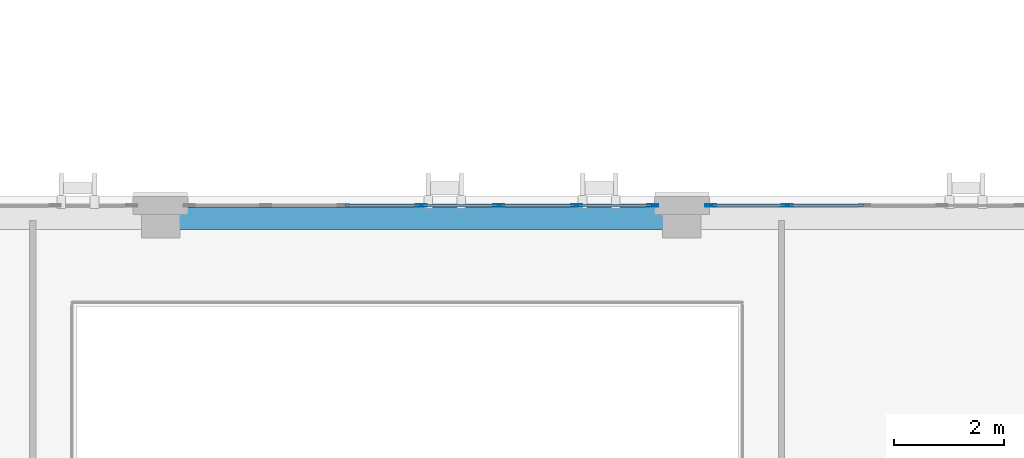
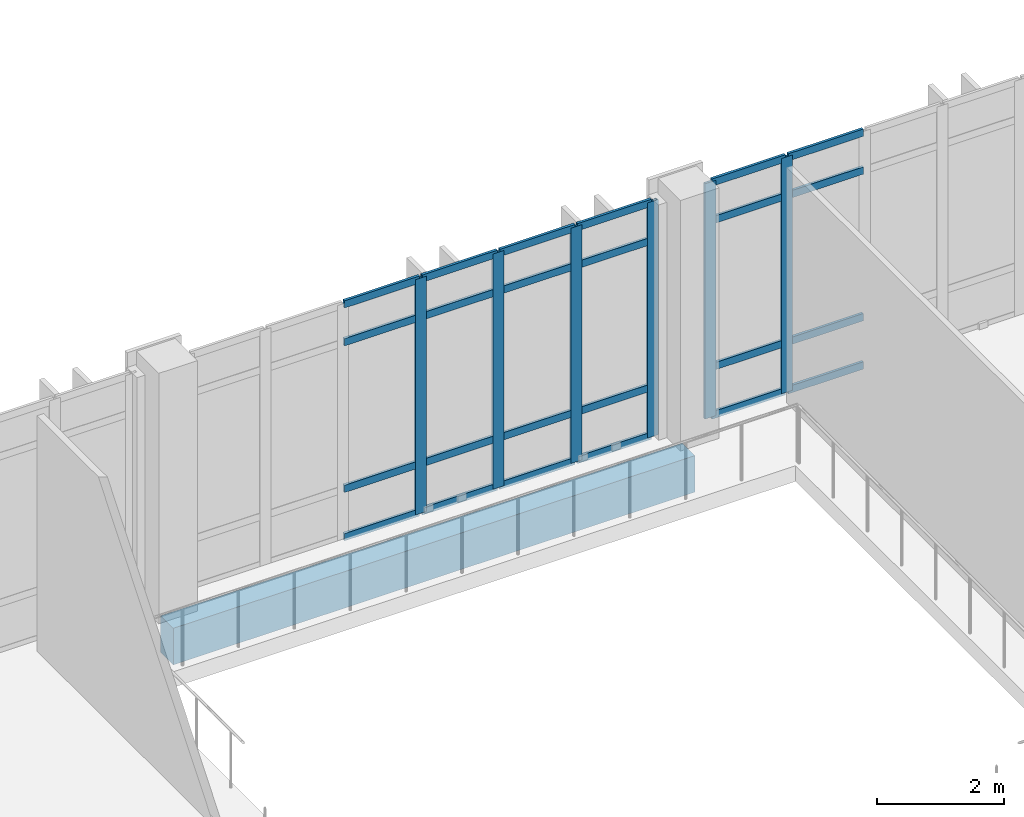
# One storey, part 15 of 189: 30 members, 1 beam, 2 elements without a shape of their own.
"""IFC4 building model written with IfcOpenShell, lengths in metres."""

import ifcopenshell
import ifcopenshell.guid

model = None  # the IFC model being written
_history = None  # IfcOwnerHistory: only IFC2X3 demands one
_inside = {}  # id of a spatial element -> (the spatial element, [elements in it])
_under = {}  # id of a project, library or spatial element -> (it, [spatial elements below it])
_declared = {}  # id of a project -> (the project, [libraries it declares])
_typed = {}  # id of a type object -> (the type object, [elements of that type])
_made_of = {}  # id of a material, layer set ... -> (it, [elements and type objects made of it])


def new_model(schema):
    """Start an empty IFC model of exactly this schema.

    Asked for "IFC4X3", IfcOpenShell would pick the latest addendum, in which some entities
    have other attributes; the version numbers below select the first issue.
    IFC2X3 requires an IfcOwnerHistory on every rooted entity: one is made here for all.
    """
    global model, _history
    if schema == "IFC4X3":
        model = ifcopenshell.file(schema_version=(4, 3, 0, 0))
    else:
        model = ifcopenshell.file(schema=schema)
    _inside.clear()
    _under.clear()
    _declared.clear()
    _typed.clear()
    _made_of.clear()
    _history = None
    if model.schema == "IFC2X3":
        org = make("IfcOrganization", Name="unknown")
        user = make(
            "IfcPersonAndOrganization",
            ThePerson=make("IfcPerson", FamilyName="unknown"),
            TheOrganization=org,
        )
        app = make(
            "IfcApplication",
            ApplicationDeveloper=org,
            Version="unknown",
            ApplicationFullName="unknown",
            ApplicationIdentifier="unknown",
        )
        _history = make(
            "IfcOwnerHistory",
            OwningUser=user,
            OwningApplication=app,
            ChangeAction="ADDED",
            CreationDate=0,
        )
    return model


def make(cls, **values):
    """One entity of the class cls with the attributes given. An attribute that is None is left unset."""
    return model.create_entity(
        cls, **{name: value for name, value in values.items() if value is not None}
    )


def rooted(cls, **values):
    """An entity with a GlobalId (a new one), such as an element, a storey or a relation."""
    return make(cls, GlobalId=ifcopenshell.guid.new(), OwnerHistory=_history, **values)


def si_unit(unit_type, name, prefix=None):
    """IfcSIUnit, for example si_unit("LENGTHUNIT", "METRE", prefix="MILLI")."""
    return make("IfcSIUnit", UnitType=unit_type, Prefix=prefix, Name=name)


def assignment(units):
    """IfcUnitAssignment: the units of a project."""
    return None if units is None else make("IfcUnitAssignment", Units=units)


def point(xyz):
    """IfcCartesianPoint."""
    return None if xyz is None else make("IfcCartesianPoint", Coordinates=xyz)


def direction(xyz):
    """IfcDirection."""
    return None if xyz is None else make("IfcDirection", DirectionRatios=xyz)


def frame(location, z_axis=None, x_axis=None):
    """IfcAxis2Placement3D, a coordinate frame: its origin and axes. An axis left out is left unset."""
    return make(
        "IfcAxis2Placement3D",
        Location=point(location),
        Axis=direction(z_axis),
        RefDirection=direction(x_axis),
    )


def frame_2d(location, x_axis=None):
    """IfcAxis2Placement2D, a coordinate frame in the plane: its origin and x axis."""
    return make(
        "IfcAxis2Placement2D", Location=point(location), RefDirection=direction(x_axis)
    )


def origin():
    """The frame at (0, 0, 0) with its axes left unset."""
    return frame((0.0, 0.0, 0.0))


def origin_2d():
    """The frame at (0, 0) in the plane with its x axis left unset."""
    return frame_2d((0.0, 0.0))


def place(relative_to, where):
    """IfcLocalPlacement: puts the frame where relative to a parent placement (None: the world)."""
    return make(
        "IfcLocalPlacement", PlacementRelTo=relative_to, RelativePlacement=where
    )


def context(
    kind, dimensions, precision=None, world=None, true_north=None, identifier=None
):
    """IfcGeometricRepresentationContext, for example the 3D "Model" context."""
    return make(
        "IfcGeometricRepresentationContext",
        ContextIdentifier=identifier,
        ContextType=kind,
        CoordinateSpaceDimension=dimensions,
        Precision=precision,
        WorldCoordinateSystem=world,
        TrueNorth=true_north,
    )


def subcontext(parent, identifier, kind, view, scale=None):
    """IfcGeometricRepresentationSubContext, for example "Body" below "Model"."""
    return make(
        "IfcGeometricRepresentationSubContext",
        ContextIdentifier=identifier,
        ContextType=kind,
        ParentContext=parent,
        TargetScale=scale,
        TargetView=view,
    )


def project(units=None, contexts=None):
    """IfcProject with its units and contexts."""
    return rooted(
        "IfcProject",
        Name="project",
        RepresentationContexts=contexts,
        UnitsInContext=assignment(units),
    )


def spatial(cls, under=None, at=None, **own):
    """A site, building, storey or space (cls), placed at a placement, below another one or the project."""
    s = rooted(cls, ObjectPlacement=at, **own)
    if under is not None:
        _under.setdefault(under.id(), (under, []))[1].append(s)
    return s


def profile(cls, at=None, kind="AREA", **sizes):
    """A parametric profile (cls). Its sizes go by their IFC names, for example OverallWidth=200.0."""
    return make(cls, ProfileType=kind, Position=at, **sizes)


def rectangle(**sizes):
    """IfcRectangleProfileDef."""
    return profile("IfcRectangleProfileDef", **sizes)


def hollow_rectangle(**sizes):
    """IfcRectangleHollowProfileDef."""
    return profile("IfcRectangleHollowProfileDef", **sizes)


def extrude(swept, where, along, depth):
    """IfcExtrudedAreaSolid: the profile swept, set in the frame where, extruded along a direction by depth."""
    return make(
        "IfcExtrudedAreaSolid",
        SweptArea=swept,
        Position=where,
        ExtrudedDirection=direction(along),
        Depth=depth,
    )


def shape(context_of_items, identifier, shape_type, items):
    """IfcShapeRepresentation: the items that make up one representation, for example the "Body"."""
    return make(
        "IfcShapeRepresentation",
        ContextOfItems=context_of_items,
        RepresentationIdentifier=identifier,
        RepresentationType=shape_type,
        Items=items,
    )


def material(Name=None, Category=None):
    """IfcMaterial."""
    return make("IfcMaterial", Name=Name, Category=Category)


def layer(
    of_material, thickness, ventilated=None, Name=None, Category=None, Priority=None
):
    """IfcMaterialLayer: one layer of a wall or slab, of a material (None: an air gap)."""
    return make(
        "IfcMaterialLayer",
        Material=of_material,
        LayerThickness=thickness,
        IsVentilated=ventilated,
        Name=Name,
        Category=Category,
        Priority=Priority,
    )


def layer_set(layers, Name=None):
    """IfcMaterialLayerSet."""
    return make("IfcMaterialLayerSet", MaterialLayers=layers, LayerSetName=Name)


def material_profile(
    of_material, cross_section, Name=None, Category=None, Priority=None
):
    """IfcMaterialProfile: a cross section and its material."""
    return make(
        "IfcMaterialProfile",
        Name=Name,
        Material=of_material,
        Profile=cross_section,
        Priority=Priority,
        Category=Category,
    )


def profile_set(profiles, Name=None, composite=None):
    """IfcMaterialProfileSet."""
    return make(
        "IfcMaterialProfileSet",
        Name=Name,
        MaterialProfiles=profiles,
        CompositeProfile=composite,
    )


def made_of(thing, what):
    """Note that an element or type object is made of a material, layer set ...; save() writes the relation."""
    if what is not None:
        _made_of.setdefault(what.id(), (what, []))[1].append(thing)
    return thing


def type_object(cls, material=None, **own):
    """A type object (cls), such as IfcWallType, which elements share."""
    return made_of(rooted(cls, **own), material)


def element(
    cls,
    number,
    at=None,
    inside=None,
    cuts=None,
    type_object=None,
    material=None,
    context=None,
    identifier="Body",
    shape_type=None,
    held_by="IfcProductDefinitionShape",
    body=None,
    shapes=None,
    **own,
):
    """One element of the class cls, such as IfcWall. Its Tag is "e" and its number.

    at: its placement. inside: the storey or other place that contains it. cuts: it is an
    opening in that element (IfcRelVoidsElement). A single representation is given by context,
    identifier, shape_type and body (its items); several are given by shapes. held_by: the class
    of the entity that holds the representations. save() writes the other relations.
    """
    e = rooted(cls, Tag="e%d" % number, ObjectPlacement=at, **own)
    if body is not None:
        shapes = [shape(context, identifier, shape_type, body)]
    if shapes is not None:
        e.Representation = make(held_by, Representations=shapes)
    if inside is not None:
        _inside.setdefault(inside.id(), (inside, []))[1].append(e)
    if cuts is not None:
        rooted(
            "IfcRelVoidsElement", RelatingBuildingElement=cuts, RelatedOpeningElement=e
        )
    if type_object is not None:
        _typed.setdefault(type_object.id(), (type_object, []))[1].append(e)
    return made_of(e, material)


def aggregate(whole, parts):
    """IfcRelAggregates: a whole, such as a stair, and the parts it consists of."""
    return rooted("IfcRelAggregates", RelatingObject=whole, RelatedObjects=parts)


def save(model, path):
    """Write the relations noted so far, then the file.

    IfcRelAggregates (storeys below a building ...), IfcRelContainedInSpatialStructure (elements
    in a storey), IfcRelDefinesByType, IfcRelAssociatesMaterial and IfcRelDeclares: one each for
    every whole, place, type object, material and project.
    """
    for whole, parts in _under.values():
        aggregate(whole, parts)
    for where, things in _inside.values():
        rooted(
            "IfcRelContainedInSpatialStructure",
            RelatedElements=things,
            RelatingStructure=where,
        )
    for kind, things in _typed.values():
        rooted("IfcRelDefinesByType", RelatedObjects=things, RelatingType=kind)
    for what, things in _made_of.values():
        rooted("IfcRelAssociatesMaterial", RelatedObjects=things, RelatingMaterial=what)
    for by, libraries in _declared.values():
        rooted("IfcRelDeclares", RelatingContext=by, RelatedDefinitions=libraries)
    model.write(path)


model = new_model("IFC4")

# Units and contexts
model_context = context("Model", 3, precision=1e-05, world=origin(), true_north=direction((0.0, 1.0)))
body_context = subcontext(model_context, "Body", "Model", "MODEL_VIEW")
ifc_project = project(units=[si_unit("LENGTHUNIT", "METRE"), si_unit("AREAUNIT", "SQUARE_METRE"), si_unit("VOLUMEUNIT", "CUBIC_METRE"), si_unit("PLANEANGLEUNIT", "RADIAN"), si_unit("MASSUNIT", "GRAM", prefix="KILO")], contexts=[model_context])

# Site, building, storey
site_placement = place(None, origin())
site = spatial("IfcSite", under=ifc_project, at=site_placement, CompositionType="ELEMENT")
building_placement = place(site_placement, origin())
building = spatial("IfcBuilding", under=site, at=building_placement, Name="Qalavern Law Courts", CompositionType="ELEMENT")
storey_placement = place(building_placement, frame((0.0, 0.0, 5.39990234375)))
storey = spatial("IfcBuildingStorey", under=building, at=storey_placement, Name="L01", CompositionType="ELEMENT", Elevation=5.39990234375)

# Curtain wall, members
ifc_material_1 = material(Name="Anodised aluminium and insulated glazing", Category="aluminium")
ifc_layer = layer(ifc_material_1, 0.18505859375)
ifc_layer_set = layer_set([ifc_layer], Name="Anodised aluminium and insulated glazing")
curtain_wall_type = type_object("IfcCurtainWallType", Name="ENV-CW-HALL", PredefinedType="USERDEFINED", material=ifc_layer_set)
curtain_wall_1_placement = place(storey_placement, origin())
curtain_wall_1 = element("IfcCurtainWall", 1, at=curtain_wall_1_placement, inside=storey, type_object=curtain_wall_type, Name="V2 unitised curtain wall L01 north 3", ObjectType="UNITISED CURTAIN WALL", PredefinedType="USERDEFINED")
ifc_material_2 = material(Name="Anodised aluminium", Category="aluminium")
ifc_material_profile_1 = material_profile(ifc_material_2, hollow_rectangle(XDim=0.048095703125, YDim=0.199951171875, WallThickness=0.00439453125, at=origin_2d()), Name="ALU MULLION 48x200")
ifc_profile_set_1 = profile_set([ifc_material_profile_1], Name="Anodised aluminium")
member_type_1 = type_object("IfcMemberType", Name="ENV-CWM-48x200", PredefinedType="MULLION", material=ifc_profile_set_1)
member_1_placement = place(storey_placement, frame((64.891845703125, 30.237548828125, 0.0), z_axis=(0.0, 0.0, 1.0), x_axis=(0.0, -1.0, 0.0)))
member_1 = element("IfcMember", 2, at=member_1_placement, type_object=member_type_1, Name="CW-02 mullion 6", PredefinedType="MULLION", context=body_context, shape_type="SweptSolid", body=[
    extrude(hollow_rectangle(XDim=0.048095703125, YDim=0.199951171875, WallThickness=0.00439453125, at=origin_2d()), origin(), (0.0, 0.0, 1.0), 4.510009765625),
])
member_2_placement = place(storey_placement, frame((63.5068359375, 30.237548828125, 0.0), z_axis=(0.0, 0.0, 1.0), x_axis=(0.0, -1.0, 0.0)))
member_2 = element("IfcMember", 3, at=member_2_placement, type_object=member_type_1, Name="CW-02 mullion 7", PredefinedType="MULLION", context=body_context, shape_type="SweptSolid", body=[
    extrude(hollow_rectangle(XDim=0.048095703125, YDim=0.199951171875, WallThickness=0.00439453125, at=origin_2d()), origin(), (0.0, 0.0, 1.0), 4.510009765625),
])

curtain_wall_2_placement = place(storey_placement, origin())
curtain_wall_2 = element("IfcCurtainWall", 4, at=curtain_wall_2_placement, inside=storey, type_object=curtain_wall_type, Name="V2 unitised curtain wall L01 north 4", ObjectType="UNITISED CURTAIN WALL", PredefinedType="USERDEFINED")
member_3_placement = place(storey_placement, frame((62.458984375, 30.237548828125, 0.0), z_axis=(0.0, 0.0, 1.0), x_axis=(0.0, -1.0, 0.0)))
member_3 = element("IfcMember", 5, at=member_3_placement, type_object=member_type_1, Name="CW-02 mullion 1", PredefinedType="MULLION", context=body_context, shape_type="SweptSolid", body=[
    extrude(hollow_rectangle(XDim=0.048095703125, YDim=0.199951171875, WallThickness=0.00439453125, at=origin_2d()), origin(), (0.0, 0.0, 1.0), 4.510009765625),
])
member_4_placement = place(storey_placement, frame((61.07373046875, 30.237548828125, 0.0), z_axis=(0.0, 0.0, 1.0), x_axis=(0.0, -1.0, 0.0)))
member_4 = element("IfcMember", 6, at=member_4_placement, type_object=member_type_1, Name="CW-02 mullion 2", PredefinedType="MULLION", context=body_context, shape_type="SweptSolid", body=[
    extrude(hollow_rectangle(XDim=0.048095703125, YDim=0.199951171875, WallThickness=0.00439453125, at=origin_2d()), origin(), (0.0, 0.0, 1.0), 4.510009765625),
])
member_5_placement = place(storey_placement, frame((59.664794921875, 30.237548828125, 0.0), z_axis=(0.0, 0.0, 1.0), x_axis=(0.0, -1.0, 0.0)))
member_5 = element("IfcMember", 7, at=member_5_placement, type_object=member_type_1, Name="CW-02 mullion 3", PredefinedType="MULLION", context=body_context, shape_type="SweptSolid", body=[
    extrude(hollow_rectangle(XDim=0.048095703125, YDim=0.199951171875, WallThickness=0.00439453125, at=origin_2d()), origin(), (0.0, 0.0, 1.0), 4.510009765625),
])
member_6_placement = place(storey_placement, frame((58.255859375, 30.237548828125, 0.0), z_axis=(0.0, 0.0, 1.0), x_axis=(0.0, -1.0, 0.0)))
member_6 = element("IfcMember", 8, at=member_6_placement, type_object=member_type_1, Name="CW-02 mullion 4", PredefinedType="MULLION", context=body_context, shape_type="SweptSolid", body=[
    extrude(hollow_rectangle(XDim=0.048095703125, YDim=0.199951171875, WallThickness=0.00439453125, at=origin_2d()), origin(), (0.0, 0.0, 1.0), 4.510009765625),
])

# Member
ifc_material_profile_2 = material_profile(ifc_material_2, hollow_rectangle(XDim=0.048095703125, YDim=0.139892578125, WallThickness=0.00390625, at=origin_2d()), Name="ALU TRANSOM 48x140")
ifc_profile_set_2 = profile_set([ifc_material_profile_2], Name="Anodised aluminium")
member_type_2 = type_object("IfcMemberType", Name="ENV-CWT-48x140", PredefinedType="USERDEFINED", material=ifc_profile_set_2)
member_7_placement = place(storey_placement, frame((66.27685546875, 30.237548828125, 0.024169921875), z_axis=(-1.0, 0.0, 0.0), x_axis=(0.0, -1.0, 0.0)))
member_7 = element("IfcMember", 9, at=member_7_placement, type_object=member_type_2, Name="CW-02 transom 5.1", ObjectType="TRANSOM", PredefinedType="USERDEFINED", context=body_context, shape_type="SweptSolid", body=[
    extrude(hollow_rectangle(XDim=0.048095703125, YDim=0.139892578125, WallThickness=0.00390625, at=origin_2d()), origin(), (0.0, 0.0, 1.0), 1.36083984375),
])

member_8_placement = place(storey_placement, frame((66.27685546875, 30.237548828125, 0.9501953125), z_axis=(-1.0, 0.0, 0.0), x_axis=(0.0, -1.0, 0.0)))
member_8 = element("IfcMember", 10, at=member_8_placement, type_object=member_type_2, Name="CW-02 transom 5.2", ObjectType="TRANSOM", PredefinedType="USERDEFINED", context=body_context, shape_type="SweptSolid", body=[
    extrude(hollow_rectangle(XDim=0.048095703125, YDim=0.139892578125, WallThickness=0.00390625, at=origin_2d()), origin(), (0.0, 0.0, 1.0), 1.36083984375),
])

member_9_placement = place(storey_placement, frame((66.27685546875, 30.237548828125, 3.760009765625), z_axis=(-1.0, 0.0, 0.0), x_axis=(0.0, -1.0, 0.0)))
member_9 = element("IfcMember", 11, at=member_9_placement, type_object=member_type_2, Name="CW-02 transom 5.3", ObjectType="TRANSOM", PredefinedType="USERDEFINED", context=body_context, shape_type="SweptSolid", body=[
    extrude(hollow_rectangle(XDim=0.048095703125, YDim=0.139892578125, WallThickness=0.00390625, at=origin_2d()), origin(), (0.0, 0.0, 1.0), 1.36083984375),
])

member_10_placement = place(storey_placement, frame((66.27685546875, 30.237548828125, 4.486083984375), z_axis=(-1.0, 0.0, 0.0), x_axis=(0.0, -1.0, 0.0)))
member_10 = element("IfcMember", 12, at=member_10_placement, type_object=member_type_2, Name="CW-02 transom 5.4", ObjectType="TRANSOM", PredefinedType="USERDEFINED", context=body_context, shape_type="SweptSolid", body=[
    extrude(hollow_rectangle(XDim=0.048095703125, YDim=0.139892578125, WallThickness=0.00390625, at=origin_2d()), origin(), (0.0, 0.0, 1.0), 1.36083984375),
])

member_11_placement = place(storey_placement, frame((64.867919921875, 30.237548828125, 0.024169921875), z_axis=(-1.0, 0.0, 0.0), x_axis=(0.0, -1.0, 0.0)))
member_11 = element("IfcMember", 13, at=member_11_placement, type_object=member_type_2, Name="CW-02 transom 6.1", ObjectType="TRANSOM", PredefinedType="USERDEFINED", context=body_context, shape_type="SweptSolid", body=[
    extrude(hollow_rectangle(XDim=0.048095703125, YDim=0.139892578125, WallThickness=0.00390625, at=origin_2d()), origin(), (0.0, 0.0, 1.0), 1.3369140625),
])

member_12_placement = place(storey_placement, frame((64.867919921875, 30.237548828125, 0.9501953125), z_axis=(-1.0, 0.0, 0.0), x_axis=(0.0, -1.0, 0.0)))
member_12 = element("IfcMember", 14, at=member_12_placement, type_object=member_type_2, Name="CW-02 transom 6.2", ObjectType="TRANSOM", PredefinedType="USERDEFINED", context=body_context, shape_type="SweptSolid", body=[
    extrude(hollow_rectangle(XDim=0.048095703125, YDim=0.139892578125, WallThickness=0.00390625, at=origin_2d()), origin(), (0.0, 0.0, 1.0), 1.3369140625),
])

member_13_placement = place(storey_placement, frame((64.867919921875, 30.237548828125, 3.760009765625), z_axis=(-1.0, 0.0, 0.0), x_axis=(0.0, -1.0, 0.0)))
member_13 = element("IfcMember", 15, at=member_13_placement, type_object=member_type_2, Name="CW-02 transom 6.3", ObjectType="TRANSOM", PredefinedType="USERDEFINED", context=body_context, shape_type="SweptSolid", body=[
    extrude(hollow_rectangle(XDim=0.048095703125, YDim=0.139892578125, WallThickness=0.00390625, at=origin_2d()), origin(), (0.0, 0.0, 1.0), 1.3369140625),
])

member_14_placement = place(storey_placement, frame((64.867919921875, 30.237548828125, 4.486083984375), z_axis=(-1.0, 0.0, 0.0), x_axis=(0.0, -1.0, 0.0)))
member_14 = element("IfcMember", 16, at=member_14_placement, type_object=member_type_2, Name="CW-02 transom 6.4", ObjectType="TRANSOM", PredefinedType="USERDEFINED", context=body_context, shape_type="SweptSolid", body=[
    extrude(hollow_rectangle(XDim=0.048095703125, YDim=0.139892578125, WallThickness=0.00390625, at=origin_2d()), origin(), (0.0, 0.0, 1.0), 1.3369140625),
])

aggregate(curtain_wall_1, [member_1, member_2, member_7, member_8, member_9, member_10, member_11, member_12, member_13, member_14])

member_15_placement = place(storey_placement, frame((62.434814453125, 30.237548828125, 0.024169921875), z_axis=(-1.0, 0.0, 0.0), x_axis=(0.0, -1.0, 0.0)))
member_15 = element("IfcMember", 17, at=member_15_placement, type_object=member_type_2, Name="CW-02 transom 1.1", ObjectType="TRANSOM", PredefinedType="USERDEFINED", context=body_context, shape_type="SweptSolid", body=[
    extrude(hollow_rectangle(XDim=0.048095703125, YDim=0.139892578125, WallThickness=0.00390625, at=origin_2d()), origin(), (0.0, 0.0, 1.0), 1.3369140625),
])

member_16_placement = place(storey_placement, frame((62.434814453125, 30.237548828125, 0.9501953125), z_axis=(-1.0, 0.0, 0.0), x_axis=(0.0, -1.0, 0.0)))
member_16 = element("IfcMember", 18, at=member_16_placement, type_object=member_type_2, Name="CW-02 transom 1.2", ObjectType="TRANSOM", PredefinedType="USERDEFINED", context=body_context, shape_type="SweptSolid", body=[
    extrude(hollow_rectangle(XDim=0.048095703125, YDim=0.139892578125, WallThickness=0.00390625, at=origin_2d()), origin(), (0.0, 0.0, 1.0), 1.3369140625),
])

member_17_placement = place(storey_placement, frame((62.434814453125, 30.237548828125, 3.760009765625), z_axis=(-1.0, 0.0, 0.0), x_axis=(0.0, -1.0, 0.0)))
member_17 = element("IfcMember", 19, at=member_17_placement, type_object=member_type_2, Name="CW-02 transom 1.3", ObjectType="TRANSOM", PredefinedType="USERDEFINED", context=body_context, shape_type="SweptSolid", body=[
    extrude(hollow_rectangle(XDim=0.048095703125, YDim=0.139892578125, WallThickness=0.00390625, at=origin_2d()), origin(), (0.0, 0.0, 1.0), 1.3369140625),
])

member_18_placement = place(storey_placement, frame((62.434814453125, 30.237548828125, 4.486083984375), z_axis=(-1.0, 0.0, 0.0), x_axis=(0.0, -1.0, 0.0)))
member_18 = element("IfcMember", 20, at=member_18_placement, type_object=member_type_2, Name="CW-02 transom 1.4", ObjectType="TRANSOM", PredefinedType="USERDEFINED", context=body_context, shape_type="SweptSolid", body=[
    extrude(hollow_rectangle(XDim=0.048095703125, YDim=0.139892578125, WallThickness=0.00390625, at=origin_2d()), origin(), (0.0, 0.0, 1.0), 1.3369140625),
])

member_19_placement = place(storey_placement, frame((61.0498046875, 30.237548828125, 0.024169921875), z_axis=(-1.0, 0.0, 0.0), x_axis=(0.0, -1.0, 0.0)))
member_19 = element("IfcMember", 21, at=member_19_placement, type_object=member_type_2, Name="CW-02 transom 2.1", ObjectType="TRANSOM", PredefinedType="USERDEFINED", context=body_context, shape_type="SweptSolid", body=[
    extrude(hollow_rectangle(XDim=0.048095703125, YDim=0.139892578125, WallThickness=0.00390625, at=origin_2d()), origin(), (0.0, 0.0, 1.0), 1.361083984375),
])

member_20_placement = place(storey_placement, frame((61.0498046875, 30.237548828125, 0.9501953125), z_axis=(-1.0, 0.0, 0.0), x_axis=(0.0, -1.0, 0.0)))
member_20 = element("IfcMember", 22, at=member_20_placement, type_object=member_type_2, Name="CW-02 transom 2.2", ObjectType="TRANSOM", PredefinedType="USERDEFINED", context=body_context, shape_type="SweptSolid", body=[
    extrude(hollow_rectangle(XDim=0.048095703125, YDim=0.139892578125, WallThickness=0.00390625, at=origin_2d()), origin(), (0.0, 0.0, 1.0), 1.361083984375),
])

member_21_placement = place(storey_placement, frame((61.0498046875, 30.237548828125, 3.760009765625), z_axis=(-1.0, 0.0, 0.0), x_axis=(0.0, -1.0, 0.0)))
member_21 = element("IfcMember", 23, at=member_21_placement, type_object=member_type_2, Name="CW-02 transom 2.3", ObjectType="TRANSOM", PredefinedType="USERDEFINED", context=body_context, shape_type="SweptSolid", body=[
    extrude(hollow_rectangle(XDim=0.048095703125, YDim=0.139892578125, WallThickness=0.00390625, at=origin_2d()), origin(), (0.0, 0.0, 1.0), 1.361083984375),
])

member_22_placement = place(storey_placement, frame((61.0498046875, 30.237548828125, 4.486083984375), z_axis=(-1.0, 0.0, 0.0), x_axis=(0.0, -1.0, 0.0)))
member_22 = element("IfcMember", 24, at=member_22_placement, type_object=member_type_2, Name="CW-02 transom 2.4", ObjectType="TRANSOM", PredefinedType="USERDEFINED", context=body_context, shape_type="SweptSolid", body=[
    extrude(hollow_rectangle(XDim=0.048095703125, YDim=0.139892578125, WallThickness=0.00390625, at=origin_2d()), origin(), (0.0, 0.0, 1.0), 1.361083984375),
])

member_23_placement = place(storey_placement, frame((59.640869140625, 30.237548828125, 0.024169921875), z_axis=(-1.0, 0.0, 0.0), x_axis=(0.0, -1.0, 0.0)))
member_23 = element("IfcMember", 25, at=member_23_placement, type_object=member_type_2, Name="CW-02 transom 3.1", ObjectType="TRANSOM", PredefinedType="USERDEFINED", context=body_context, shape_type="SweptSolid", body=[
    extrude(hollow_rectangle(XDim=0.048095703125, YDim=0.139892578125, WallThickness=0.00390625, at=origin_2d()), origin(), (0.0, 0.0, 1.0), 1.361083984375),
])

member_24_placement = place(storey_placement, frame((59.640869140625, 30.237548828125, 0.9501953125), z_axis=(-1.0, 0.0, 0.0), x_axis=(0.0, -1.0, 0.0)))
member_24 = element("IfcMember", 26, at=member_24_placement, type_object=member_type_2, Name="CW-02 transom 3.2", ObjectType="TRANSOM", PredefinedType="USERDEFINED", context=body_context, shape_type="SweptSolid", body=[
    extrude(hollow_rectangle(XDim=0.048095703125, YDim=0.139892578125, WallThickness=0.00390625, at=origin_2d()), origin(), (0.0, 0.0, 1.0), 1.361083984375),
])

member_25_placement = place(storey_placement, frame((59.640869140625, 30.237548828125, 3.760009765625), z_axis=(-1.0, 0.0, 0.0), x_axis=(0.0, -1.0, 0.0)))
member_25 = element("IfcMember", 27, at=member_25_placement, type_object=member_type_2, Name="CW-02 transom 3.3", ObjectType="TRANSOM", PredefinedType="USERDEFINED", context=body_context, shape_type="SweptSolid", body=[
    extrude(hollow_rectangle(XDim=0.048095703125, YDim=0.139892578125, WallThickness=0.00390625, at=origin_2d()), origin(), (0.0, 0.0, 1.0), 1.361083984375),
])

member_26_placement = place(storey_placement, frame((59.640869140625, 30.237548828125, 4.486083984375), z_axis=(-1.0, 0.0, 0.0), x_axis=(0.0, -1.0, 0.0)))
member_26 = element("IfcMember", 28, at=member_26_placement, type_object=member_type_2, Name="CW-02 transom 3.4", ObjectType="TRANSOM", PredefinedType="USERDEFINED", context=body_context, shape_type="SweptSolid", body=[
    extrude(hollow_rectangle(XDim=0.048095703125, YDim=0.139892578125, WallThickness=0.00390625, at=origin_2d()), origin(), (0.0, 0.0, 1.0), 1.361083984375),
])

member_27_placement = place(storey_placement, frame((58.231689453125, 30.237548828125, 0.024169921875), z_axis=(-1.0, 0.0, 0.0), x_axis=(0.0, -1.0, 0.0)))
member_27 = element("IfcMember", 29, at=member_27_placement, type_object=member_type_2, Name="CW-02 transom 4.1", ObjectType="TRANSOM", PredefinedType="USERDEFINED", context=body_context, shape_type="SweptSolid", body=[
    extrude(hollow_rectangle(XDim=0.048095703125, YDim=0.139892578125, WallThickness=0.00390625, at=origin_2d()), origin(), (0.0, 0.0, 1.0), 1.361083984375),
])

member_28_placement = place(storey_placement, frame((58.231689453125, 30.237548828125, 0.9501953125), z_axis=(-1.0, 0.0, 0.0), x_axis=(0.0, -1.0, 0.0)))
member_28 = element("IfcMember", 30, at=member_28_placement, type_object=member_type_2, Name="CW-02 transom 4.2", ObjectType="TRANSOM", PredefinedType="USERDEFINED", context=body_context, shape_type="SweptSolid", body=[
    extrude(hollow_rectangle(XDim=0.048095703125, YDim=0.139892578125, WallThickness=0.00390625, at=origin_2d()), origin(), (0.0, 0.0, 1.0), 1.361083984375),
])

member_29_placement = place(storey_placement, frame((58.231689453125, 30.237548828125, 3.760009765625), z_axis=(-1.0, 0.0, 0.0), x_axis=(0.0, -1.0, 0.0)))
member_29 = element("IfcMember", 31, at=member_29_placement, type_object=member_type_2, Name="CW-02 transom 4.3", ObjectType="TRANSOM", PredefinedType="USERDEFINED", context=body_context, shape_type="SweptSolid", body=[
    extrude(hollow_rectangle(XDim=0.048095703125, YDim=0.139892578125, WallThickness=0.00390625, at=origin_2d()), origin(), (0.0, 0.0, 1.0), 1.361083984375),
])

member_30_placement = place(storey_placement, frame((58.231689453125, 30.237548828125, 4.486083984375), z_axis=(-1.0, 0.0, 0.0), x_axis=(0.0, -1.0, 0.0)))
member_30 = element("IfcMember", 32, at=member_30_placement, type_object=member_type_2, Name="CW-02 transom 4.4", ObjectType="TRANSOM", PredefinedType="USERDEFINED", context=body_context, shape_type="SweptSolid", body=[
    extrude(hollow_rectangle(XDim=0.048095703125, YDim=0.139892578125, WallThickness=0.00390625, at=origin_2d()), origin(), (0.0, 0.0, 1.0), 1.361083984375),
])

aggregate(curtain_wall_2, [member_3, member_4, member_5, member_6, member_15, member_16, member_17, member_18, member_19, member_20, member_21, member_22, member_23, member_24, member_25, member_26, member_27, member_28, member_29, member_30])

# Beam
ifc_material_3 = material(Name="Concrete C40/50", Category="concrete")
ifc_material_profile_3 = material_profile(ifc_material_3, rectangle(XDim=0.39990234375, YDim=0.699951171875, at=origin_2d()), Name="RC 400x700")
ifc_profile_set_3 = profile_set([ifc_material_profile_3], Name="Concrete C40/50")
beam_type = type_object("IfcBeamType", Name="STR-SP-RC400x700", PredefinedType="SPANDREL", material=ifc_profile_set_3)
beam_placement = place(storey_placement, frame((53.528564453125, 30.0, -0.64990234375), z_axis=(1.0, 0.0, 0.0), x_axis=(0.0, 1.0, 0.0)))
element("IfcBeam", 33, at=beam_placement, inside=storey, type_object=beam_type, Name="V2 X-beam 4-3 L01", PredefinedType="SPANDREL", context=body_context, shape_type="SweptSolid", body=[
    extrude(rectangle(XDim=0.39990234375, YDim=0.699951171875, at=origin_2d()), origin(), (0.0, 0.0, 1.0), 9.454345703125),
])

save(model, "model.ifc")
